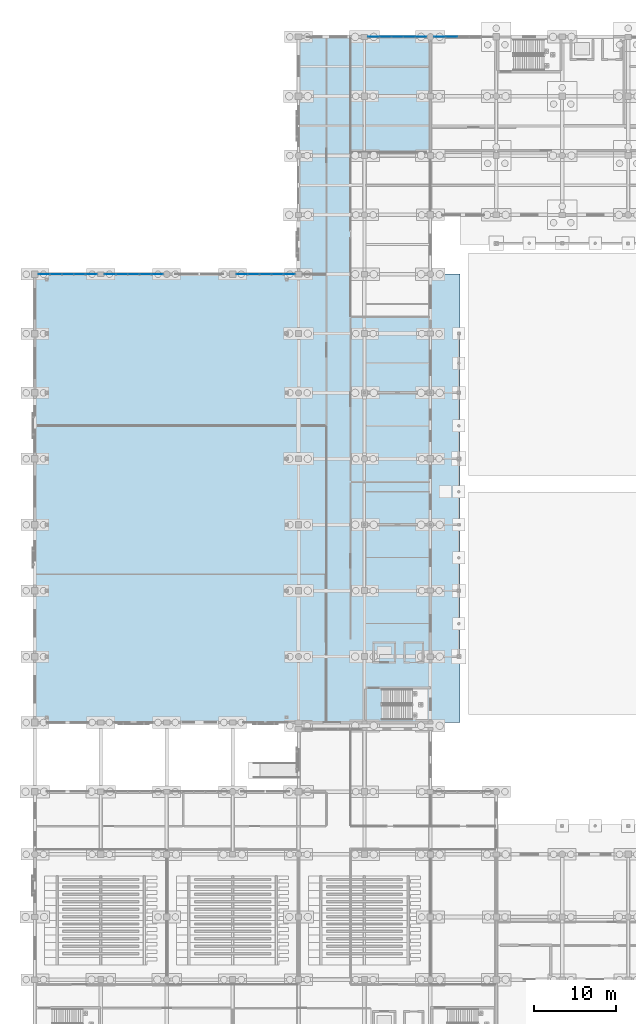
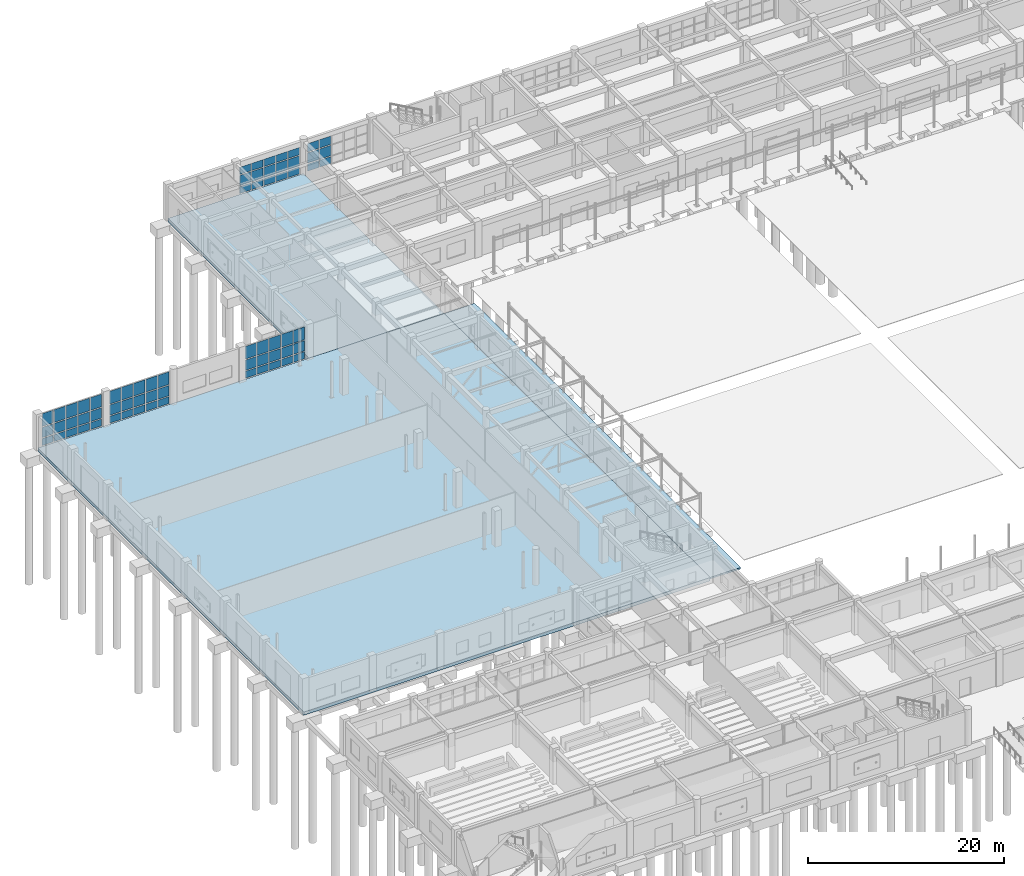
# One storey, part 111 of 166: 66 plates, 3 slabs, 5 elements without a shape of their own.
"""IFC4 building model written with IfcOpenShell, lengths in metres."""

import ifcopenshell
import ifcopenshell.guid

model = None  # the IFC model being written
_history = None  # IfcOwnerHistory: only IFC2X3 demands one
_inside = {}  # id of a spatial element -> (the spatial element, [elements in it])
_under = {}  # id of a project, library or spatial element -> (it, [spatial elements below it])
_declared = {}  # id of a project -> (the project, [libraries it declares])
_typed = {}  # id of a type object -> (the type object, [elements of that type])
_made_of = {}  # id of a material, layer set ... -> (it, [elements and type objects made of it])


def new_model(schema):
    """Start an empty IFC model of exactly this schema.

    Asked for "IFC4X3", IfcOpenShell would pick the latest addendum, in which some entities
    have other attributes; the version numbers below select the first issue.
    IFC2X3 requires an IfcOwnerHistory on every rooted entity: one is made here for all.
    """
    global model, _history
    if schema == "IFC4X3":
        model = ifcopenshell.file(schema_version=(4, 3, 0, 0))
    else:
        model = ifcopenshell.file(schema=schema)
    _inside.clear()
    _under.clear()
    _declared.clear()
    _typed.clear()
    _made_of.clear()
    _history = None
    if model.schema == "IFC2X3":
        org = make("IfcOrganization", Name="unknown")
        user = make(
            "IfcPersonAndOrganization",
            ThePerson=make("IfcPerson", FamilyName="unknown"),
            TheOrganization=org,
        )
        app = make(
            "IfcApplication",
            ApplicationDeveloper=org,
            Version="unknown",
            ApplicationFullName="unknown",
            ApplicationIdentifier="unknown",
        )
        _history = make(
            "IfcOwnerHistory",
            OwningUser=user,
            OwningApplication=app,
            ChangeAction="ADDED",
            CreationDate=0,
        )
    return model


def make(cls, **values):
    """One entity of the class cls with the attributes given. An attribute that is None is left unset."""
    return model.create_entity(
        cls, **{name: value for name, value in values.items() if value is not None}
    )


def rooted(cls, **values):
    """An entity with a GlobalId (a new one), such as an element, a storey or a relation."""
    return make(cls, GlobalId=ifcopenshell.guid.new(), OwnerHistory=_history, **values)


def si_unit(unit_type, name, prefix=None):
    """IfcSIUnit, for example si_unit("LENGTHUNIT", "METRE", prefix="MILLI")."""
    return make("IfcSIUnit", UnitType=unit_type, Prefix=prefix, Name=name)


def assignment(units):
    """IfcUnitAssignment: the units of a project."""
    return None if units is None else make("IfcUnitAssignment", Units=units)


def point(xyz):
    """IfcCartesianPoint."""
    return None if xyz is None else make("IfcCartesianPoint", Coordinates=xyz)


def direction(xyz):
    """IfcDirection."""
    return None if xyz is None else make("IfcDirection", DirectionRatios=xyz)


def frame(location, z_axis=None, x_axis=None):
    """IfcAxis2Placement3D, a coordinate frame: its origin and axes. An axis left out is left unset."""
    return make(
        "IfcAxis2Placement3D",
        Location=point(location),
        Axis=direction(z_axis),
        RefDirection=direction(x_axis),
    )


def frame_2d(location, x_axis=None):
    """IfcAxis2Placement2D, a coordinate frame in the plane: its origin and x axis."""
    return make(
        "IfcAxis2Placement2D", Location=point(location), RefDirection=direction(x_axis)
    )


def origin():
    """The frame at (0, 0, 0) with its axes left unset."""
    return frame((0.0, 0.0, 0.0))


def origin_2d():
    """The frame at (0, 0) in the plane with its x axis left unset."""
    return frame_2d((0.0, 0.0))


def place(relative_to, where):
    """IfcLocalPlacement: puts the frame where relative to a parent placement (None: the world)."""
    return make(
        "IfcLocalPlacement", PlacementRelTo=relative_to, RelativePlacement=where
    )


def context(
    kind, dimensions, precision=None, world=None, true_north=None, identifier=None
):
    """IfcGeometricRepresentationContext, for example the 3D "Model" context."""
    return make(
        "IfcGeometricRepresentationContext",
        ContextIdentifier=identifier,
        ContextType=kind,
        CoordinateSpaceDimension=dimensions,
        Precision=precision,
        WorldCoordinateSystem=world,
        TrueNorth=true_north,
    )


def subcontext(parent, identifier, kind, view, scale=None):
    """IfcGeometricRepresentationSubContext, for example "Body" below "Model"."""
    return make(
        "IfcGeometricRepresentationSubContext",
        ContextIdentifier=identifier,
        ContextType=kind,
        ParentContext=parent,
        TargetScale=scale,
        TargetView=view,
    )


def project(units=None, contexts=None):
    """IfcProject with its units and contexts."""
    return rooted(
        "IfcProject",
        Name="project",
        RepresentationContexts=contexts,
        UnitsInContext=assignment(units),
    )


def spatial(cls, under=None, at=None, **own):
    """A site, building, storey or space (cls), placed at a placement, below another one or the project."""
    s = rooted(cls, ObjectPlacement=at, **own)
    if under is not None:
        _under.setdefault(under.id(), (under, []))[1].append(s)
    return s


def polyline(points):
    """IfcPolyline through the points."""
    return make("IfcPolyline", Points=[point(p) for p in points])


def profile(cls, at=None, kind="AREA", **sizes):
    """A parametric profile (cls). Its sizes go by their IFC names, for example OverallWidth=200.0."""
    return make(cls, ProfileType=kind, Position=at, **sizes)


def rectangle(**sizes):
    """IfcRectangleProfileDef."""
    return profile("IfcRectangleProfileDef", **sizes)


def outline(outer, holes=None, kind="AREA"):
    """IfcArbitraryClosedProfileDef: a profile drawn as a closed curve; with holes, ...WithVoids."""
    if holes is None:
        return make("IfcArbitraryClosedProfileDef", ProfileType=kind, OuterCurve=outer)
    return make(
        "IfcArbitraryProfileDefWithVoids",
        ProfileType=kind,
        OuterCurve=outer,
        InnerCurves=holes,
    )


def extrude(swept, where, along, depth):
    """IfcExtrudedAreaSolid: the profile swept, set in the frame where, extruded along a direction by depth."""
    return make(
        "IfcExtrudedAreaSolid",
        SweptArea=swept,
        Position=where,
        ExtrudedDirection=direction(along),
        Depth=depth,
    )


def shape(context_of_items, identifier, shape_type, items):
    """IfcShapeRepresentation: the items that make up one representation, for example the "Body"."""
    return make(
        "IfcShapeRepresentation",
        ContextOfItems=context_of_items,
        RepresentationIdentifier=identifier,
        RepresentationType=shape_type,
        Items=items,
    )


def material(Name=None, Category=None):
    """IfcMaterial."""
    return make("IfcMaterial", Name=Name, Category=Category)


def layer(
    of_material, thickness, ventilated=None, Name=None, Category=None, Priority=None
):
    """IfcMaterialLayer: one layer of a wall or slab, of a material (None: an air gap)."""
    return make(
        "IfcMaterialLayer",
        Material=of_material,
        LayerThickness=thickness,
        IsVentilated=ventilated,
        Name=Name,
        Category=Category,
        Priority=Priority,
    )


def layer_set(layers, Name=None):
    """IfcMaterialLayerSet."""
    return make("IfcMaterialLayerSet", MaterialLayers=layers, LayerSetName=Name)


def made_of(thing, what):
    """Note that an element or type object is made of a material, layer set ...; save() writes the relation."""
    if what is not None:
        _made_of.setdefault(what.id(), (what, []))[1].append(thing)
    return thing


def type_object(cls, material=None, **own):
    """A type object (cls), such as IfcWallType, which elements share."""
    return made_of(rooted(cls, **own), material)


def element(
    cls,
    number,
    at=None,
    inside=None,
    cuts=None,
    type_object=None,
    material=None,
    context=None,
    identifier="Body",
    shape_type=None,
    held_by="IfcProductDefinitionShape",
    body=None,
    shapes=None,
    **own,
):
    """One element of the class cls, such as IfcWall. Its Tag is "e" and its number.

    at: its placement. inside: the storey or other place that contains it. cuts: it is an
    opening in that element (IfcRelVoidsElement). A single representation is given by context,
    identifier, shape_type and body (its items); several are given by shapes. held_by: the class
    of the entity that holds the representations. save() writes the other relations.
    """
    e = rooted(cls, Tag="e%d" % number, ObjectPlacement=at, **own)
    if body is not None:
        shapes = [shape(context, identifier, shape_type, body)]
    if shapes is not None:
        e.Representation = make(held_by, Representations=shapes)
    if inside is not None:
        _inside.setdefault(inside.id(), (inside, []))[1].append(e)
    if cuts is not None:
        rooted(
            "IfcRelVoidsElement", RelatingBuildingElement=cuts, RelatedOpeningElement=e
        )
    if type_object is not None:
        _typed.setdefault(type_object.id(), (type_object, []))[1].append(e)
    return made_of(e, material)


def aggregate(whole, parts):
    """IfcRelAggregates: a whole, such as a stair, and the parts it consists of."""
    return rooted("IfcRelAggregates", RelatingObject=whole, RelatedObjects=parts)


def save(model, path):
    """Write the relations noted so far, then the file.

    IfcRelAggregates (storeys below a building ...), IfcRelContainedInSpatialStructure (elements
    in a storey), IfcRelDefinesByType, IfcRelAssociatesMaterial and IfcRelDeclares: one each for
    every whole, place, type object, material and project.
    """
    for whole, parts in _under.values():
        aggregate(whole, parts)
    for where, things in _inside.values():
        rooted(
            "IfcRelContainedInSpatialStructure",
            RelatedElements=things,
            RelatingStructure=where,
        )
    for kind, things in _typed.values():
        rooted("IfcRelDefinesByType", RelatedObjects=things, RelatingType=kind)
    for what, things in _made_of.values():
        rooted("IfcRelAssociatesMaterial", RelatedObjects=things, RelatingMaterial=what)
    for by, libraries in _declared.values():
        rooted("IfcRelDeclares", RelatingContext=by, RelatedDefinitions=libraries)
    model.write(path)


model = new_model("IFC4")

# Units and contexts
model_context = context("Model", 3, precision=1e-05, world=origin(), true_north=direction((0.0, 1.0)))
body_context = subcontext(model_context, "Body", "Model", "MODEL_VIEW")
ifc_project = project(units=[si_unit("LENGTHUNIT", "METRE"), si_unit("AREAUNIT", "SQUARE_METRE"), si_unit("VOLUMEUNIT", "CUBIC_METRE"), si_unit("PLANEANGLEUNIT", "RADIAN"), si_unit("MASSUNIT", "GRAM", prefix="KILO")], contexts=[model_context])

# Site, building, storey
site_placement = place(None, origin())
site = spatial("IfcSite", under=ifc_project, at=site_placement, CompositionType="ELEMENT")
building_placement = place(site_placement, origin())
building = spatial("IfcBuilding", under=site, at=building_placement, Name="Kharva Crest Polytechnic", CompositionType="ELEMENT")
storey_placement = place(building_placement, origin())
storey = spatial("IfcBuildingStorey", under=building, at=storey_placement, Name="L00", CompositionType="ELEMENT", Elevation=0.0)

# Curtain wall, plates
ifc_material_1 = material(Name="Tempered insulated glass", Category="glass")
curtain_wall_type = type_object("IfcCurtainWallType", Name="CW-SYS-COURT", PredefinedType="USERDEFINED", material=ifc_material_1)
curtain_wall_1_placement = place(storey_placement, origin())
curtain_wall_1 = element("IfcCurtainWall", 1, at=curtain_wall_1_placement, inside=storey, type_object=curtain_wall_type, Name="L00 Glazed Curtain Wall CW-029", ObjectType="CURTAIN WALL", PredefinedType="USERDEFINED")
ifc_layer_1 = layer(ifc_material_1, 0.02392578125, Name="Tempered insulated glass")
ifc_layer_set_1 = layer_set([ifc_layer_1], Name="Tempered insulated glass")
plate_type = type_object("IfcPlateType", Name="CWP-GLZ-24", PredefinedType="CURTAIN_PANEL", material=ifc_layer_set_1)
plate_1_placement = place(storey_placement, frame((50.56201171875, 122.0, 0.119873046875), z_axis=(0.0, 0.0, 1.0), x_axis=(-1.0, 0.0, 0.0)))
plate_1 = element("IfcPlate", 2, at=plate_1_placement, type_object=plate_type, Name="CW-029 panel 4.1", PredefinedType="CURTAIN_PANEL", context=body_context, shape_type="SweptSolid", body=[
    extrude(rectangle(XDim=1.35791015625, YDim=0.02392578125, at=origin_2d()), origin(), (0.0, 0.0, 1.0), 0.8701171875),
])
plate_2_placement = place(storey_placement, frame((50.56201171875, 122.0, 1.10986328125), z_axis=(0.0, 0.0, 1.0), x_axis=(-1.0, 0.0, 0.0)))
plate_2 = element("IfcPlate", 3, at=plate_2_placement, type_object=plate_type, Name="CW-029 panel 4.2", PredefinedType="CURTAIN_PANEL", context=body_context, shape_type="SweptSolid", body=[
    extrude(rectangle(XDim=1.35791015625, YDim=0.02392578125, at=origin_2d()), origin(), (0.0, 0.0, 1.0), 1.280029296875),
])
plate_3_placement = place(storey_placement, frame((50.56201171875, 122.0, 2.510009765625), z_axis=(0.0, 0.0, 1.0), x_axis=(-1.0, 0.0, 0.0)))
plate_3 = element("IfcPlate", 4, at=plate_3_placement, type_object=plate_type, Name="CW-029 panel 4.3", PredefinedType="CURTAIN_PANEL", context=body_context, shape_type="SweptSolid", body=[
    extrude(rectangle(XDim=1.35791015625, YDim=0.02392578125, at=origin_2d()), origin(), (0.0, 0.0, 1.0), 1.0400390625),
])
plate_4_placement = place(storey_placement, frame((49.14404296875, 122.0, 0.119873046875), z_axis=(0.0, 0.0, 1.0), x_axis=(-1.0, 0.0, 0.0)))
plate_4 = element("IfcPlate", 5, at=plate_4_placement, type_object=plate_type, Name="CW-029 panel 5.1", PredefinedType="CURTAIN_PANEL", context=body_context, shape_type="SweptSolid", body=[
    extrude(rectangle(XDim=1.318115234375, YDim=0.02392578125, at=origin_2d()), origin(), (0.0, 0.0, 1.0), 0.8701171875),
])
plate_5_placement = place(storey_placement, frame((49.14404296875, 122.0, 1.10986328125), z_axis=(0.0, 0.0, 1.0), x_axis=(-1.0, 0.0, 0.0)))
plate_5 = element("IfcPlate", 6, at=plate_5_placement, type_object=plate_type, Name="CW-029 panel 5.2", PredefinedType="CURTAIN_PANEL", context=body_context, shape_type="SweptSolid", body=[
    extrude(rectangle(XDim=1.318115234375, YDim=0.02392578125, at=origin_2d()), origin(), (0.0, 0.0, 1.0), 1.280029296875),
])
plate_6_placement = place(storey_placement, frame((49.14404296875, 122.0, 2.510009765625), z_axis=(0.0, 0.0, 1.0), x_axis=(-1.0, 0.0, 0.0)))
plate_6 = element("IfcPlate", 7, at=plate_6_placement, type_object=plate_type, Name="CW-029 panel 5.3", PredefinedType="CURTAIN_PANEL", context=body_context, shape_type="SweptSolid", body=[
    extrude(rectangle(XDim=1.318115234375, YDim=0.02392578125, at=origin_2d()), origin(), (0.0, 0.0, 1.0), 1.0400390625),
])
aggregate(curtain_wall_1, [plate_1, plate_2, plate_3, plate_4, plate_5, plate_6])

curtain_wall_2_placement = place(storey_placement, origin())
curtain_wall_2 = element("IfcCurtainWall", 8, at=curtain_wall_2_placement, inside=storey, type_object=curtain_wall_type, Name="L00 Glazed Curtain Wall CW-030", ObjectType="CURTAIN WALL", PredefinedType="USERDEFINED")
plate_7_placement = place(storey_placement, frame((46.85498046875, 122.0, 0.119873046875), z_axis=(0.0, 0.0, 1.0), x_axis=(-1.0, 0.0, 0.0)))
plate_7 = element("IfcPlate", 9, at=plate_7_placement, type_object=plate_type, Name="CW-030 panel 1.1", PredefinedType="CURTAIN_PANEL", context=body_context, shape_type="SweptSolid", body=[
    extrude(rectangle(XDim=1.320068359375, YDim=0.02392578125, at=origin_2d()), origin(), (0.0, 0.0, 1.0), 0.8701171875),
])
plate_8_placement = place(storey_placement, frame((46.85498046875, 122.0, 1.10986328125), z_axis=(0.0, 0.0, 1.0), x_axis=(-1.0, 0.0, 0.0)))
plate_8 = element("IfcPlate", 10, at=plate_8_placement, type_object=plate_type, Name="CW-030 panel 1.2", PredefinedType="CURTAIN_PANEL", context=body_context, shape_type="SweptSolid", body=[
    extrude(rectangle(XDim=1.320068359375, YDim=0.02392578125, at=origin_2d()), origin(), (0.0, 0.0, 1.0), 1.280029296875),
])
plate_9_placement = place(storey_placement, frame((46.85498046875, 122.0, 2.51025390625), z_axis=(0.0, 0.0, 1.0), x_axis=(-1.0, 0.0, 0.0)))
plate_9 = element("IfcPlate", 11, at=plate_9_placement, type_object=plate_type, Name="CW-030 panel 1.3", PredefinedType="CURTAIN_PANEL", context=body_context, shape_type="SweptSolid", body=[
    extrude(rectangle(XDim=1.320068359375, YDim=0.02392578125, at=origin_2d()), origin(), (0.0, 0.0, 1.0), 0.909912109375),
])
plate_10_placement = place(storey_placement, frame((45.43505859375, 122.0, 0.119873046875), z_axis=(0.0, 0.0, 1.0), x_axis=(-1.0, 0.0, 0.0)))
plate_10 = element("IfcPlate", 12, at=plate_10_placement, type_object=plate_type, Name="CW-030 panel 2.1", PredefinedType="CURTAIN_PANEL", context=body_context, shape_type="SweptSolid", body=[
    extrude(rectangle(XDim=1.360107421875, YDim=0.02392578125, at=origin_2d()), origin(), (0.0, 0.0, 1.0), 0.8701171875),
])
plate_11_placement = place(storey_placement, frame((45.43505859375, 122.0, 1.10986328125), z_axis=(0.0, 0.0, 1.0), x_axis=(-1.0, 0.0, 0.0)))
plate_11 = element("IfcPlate", 13, at=plate_11_placement, type_object=plate_type, Name="CW-030 panel 2.2", PredefinedType="CURTAIN_PANEL", context=body_context, shape_type="SweptSolid", body=[
    extrude(rectangle(XDim=1.360107421875, YDim=0.02392578125, at=origin_2d()), origin(), (0.0, 0.0, 1.0), 1.280029296875),
])
plate_12_placement = place(storey_placement, frame((45.43505859375, 122.0, 2.51025390625), z_axis=(0.0, 0.0, 1.0), x_axis=(-1.0, 0.0, 0.0)))
plate_12 = element("IfcPlate", 14, at=plate_12_placement, type_object=plate_type, Name="CW-030 panel 2.3", PredefinedType="CURTAIN_PANEL", context=body_context, shape_type="SweptSolid", body=[
    extrude(rectangle(XDim=1.360107421875, YDim=0.02392578125, at=origin_2d()), origin(), (0.0, 0.0, 1.0), 0.909912109375),
])
plate_13_placement = place(storey_placement, frame((43.9951171875, 122.0, 0.119873046875), z_axis=(0.0, 0.0, 1.0), x_axis=(-1.0, 0.0, 0.0)))
plate_13 = element("IfcPlate", 15, at=plate_13_placement, type_object=plate_type, Name="CW-030 panel 3.1", PredefinedType="CURTAIN_PANEL", context=body_context, shape_type="SweptSolid", body=[
    extrude(rectangle(XDim=1.360107421875, YDim=0.02392578125, at=origin_2d()), origin(), (0.0, 0.0, 1.0), 0.8701171875),
])
plate_14_placement = place(storey_placement, frame((43.9951171875, 122.0, 1.10986328125), z_axis=(0.0, 0.0, 1.0), x_axis=(-1.0, 0.0, 0.0)))
plate_14 = element("IfcPlate", 16, at=plate_14_placement, type_object=plate_type, Name="CW-030 panel 3.2", PredefinedType="CURTAIN_PANEL", context=body_context, shape_type="SweptSolid", body=[
    extrude(rectangle(XDim=1.360107421875, YDim=0.02392578125, at=origin_2d()), origin(), (0.0, 0.0, 1.0), 1.280029296875),
])
plate_15_placement = place(storey_placement, frame((43.9951171875, 122.0, 2.51025390625), z_axis=(0.0, 0.0, 1.0), x_axis=(-1.0, 0.0, 0.0)))
plate_15 = element("IfcPlate", 17, at=plate_15_placement, type_object=plate_type, Name="CW-030 panel 3.3", PredefinedType="CURTAIN_PANEL", context=body_context, shape_type="SweptSolid", body=[
    extrude(rectangle(XDim=1.360107421875, YDim=0.02392578125, at=origin_2d()), origin(), (0.0, 0.0, 1.0), 0.909912109375),
])
plate_16_placement = place(storey_placement, frame((42.554931640625, 122.0, 0.119873046875), z_axis=(0.0, 0.0, 1.0), x_axis=(-1.0, 0.0, 0.0)))
plate_16 = element("IfcPlate", 18, at=plate_16_placement, type_object=plate_type, Name="CW-030 panel 4.1", PredefinedType="CURTAIN_PANEL", context=body_context, shape_type="SweptSolid", body=[
    extrude(rectangle(XDim=1.360107421875, YDim=0.02392578125, at=origin_2d()), origin(), (0.0, 0.0, 1.0), 0.8701171875),
])
plate_17_placement = place(storey_placement, frame((42.554931640625, 122.0, 1.10986328125), z_axis=(0.0, 0.0, 1.0), x_axis=(-1.0, 0.0, 0.0)))
plate_17 = element("IfcPlate", 19, at=plate_17_placement, type_object=plate_type, Name="CW-030 panel 4.2", PredefinedType="CURTAIN_PANEL", context=body_context, shape_type="SweptSolid", body=[
    extrude(rectangle(XDim=1.360107421875, YDim=0.02392578125, at=origin_2d()), origin(), (0.0, 0.0, 1.0), 1.280029296875),
])
plate_18_placement = place(storey_placement, frame((42.554931640625, 122.0, 2.51025390625), z_axis=(0.0, 0.0, 1.0), x_axis=(-1.0, 0.0, 0.0)))
plate_18 = element("IfcPlate", 20, at=plate_18_placement, type_object=plate_type, Name="CW-030 panel 4.3", PredefinedType="CURTAIN_PANEL", context=body_context, shape_type="SweptSolid", body=[
    extrude(rectangle(XDim=1.360107421875, YDim=0.02392578125, at=origin_2d()), origin(), (0.0, 0.0, 1.0), 0.909912109375),
])
plate_19_placement = place(storey_placement, frame((41.135009765625, 122.0, 0.119873046875), z_axis=(0.0, 0.0, 1.0), x_axis=(-1.0, 0.0, 0.0)))
plate_19 = element("IfcPlate", 21, at=plate_19_placement, type_object=plate_type, Name="CW-030 panel 5.1", PredefinedType="CURTAIN_PANEL", context=body_context, shape_type="SweptSolid", body=[
    extrude(rectangle(XDim=1.320068359375, YDim=0.02392578125, at=origin_2d()), origin(), (0.0, 0.0, 1.0), 0.8701171875),
])
plate_20_placement = place(storey_placement, frame((41.135009765625, 122.0, 1.10986328125), z_axis=(0.0, 0.0, 1.0), x_axis=(-1.0, 0.0, 0.0)))
plate_20 = element("IfcPlate", 22, at=plate_20_placement, type_object=plate_type, Name="CW-030 panel 5.2", PredefinedType="CURTAIN_PANEL", context=body_context, shape_type="SweptSolid", body=[
    extrude(rectangle(XDim=1.320068359375, YDim=0.02392578125, at=origin_2d()), origin(), (0.0, 0.0, 1.0), 1.280029296875),
])
plate_21_placement = place(storey_placement, frame((41.135009765625, 122.0, 2.51025390625), z_axis=(0.0, 0.0, 1.0), x_axis=(-1.0, 0.0, 0.0)))
plate_21 = element("IfcPlate", 23, at=plate_21_placement, type_object=plate_type, Name="CW-030 panel 5.3", PredefinedType="CURTAIN_PANEL", context=body_context, shape_type="SweptSolid", body=[
    extrude(rectangle(XDim=1.320068359375, YDim=0.02392578125, at=origin_2d()), origin(), (0.0, 0.0, 1.0), 0.909912109375),
])
aggregate(curtain_wall_2, [plate_7, plate_8, plate_9, plate_10, plate_11, plate_12, plate_13, plate_14, plate_15, plate_16, plate_17, plate_18, plate_19, plate_20, plate_21])

curtain_wall_3_placement = place(storey_placement, origin())
curtain_wall_3 = element("IfcCurtainWall", 24, at=curtain_wall_3_placement, inside=storey, type_object=curtain_wall_type, Name="L00 Glazed Curtain Wall CW-031", ObjectType="CURTAIN WALL", PredefinedType="USERDEFINED")
plate_22_placement = place(storey_placement, frame((30.85595703125, 93.199951171875, 0.119873046875), z_axis=(0.0, 0.0, 1.0), x_axis=(-1.0, 0.0, 0.0)))
plate_22 = element("IfcPlate", 25, at=plate_22_placement, type_object=plate_type, Name="CW-031 panel 1.1", PredefinedType="CURTAIN_PANEL", context=body_context, shape_type="SweptSolid", body=[
    extrude(rectangle(XDim=1.318115234375, YDim=0.02392578125, at=origin_2d()), origin(), (0.0, 0.0, 1.0), 0.8701171875),
])
plate_23_placement = place(storey_placement, frame((30.85595703125, 93.199951171875, 1.10986328125), z_axis=(0.0, 0.0, 1.0), x_axis=(-1.0, 0.0, 0.0)))
plate_23 = element("IfcPlate", 26, at=plate_23_placement, type_object=plate_type, Name="CW-031 panel 1.2", PredefinedType="CURTAIN_PANEL", context=body_context, shape_type="SweptSolid", body=[
    extrude(rectangle(XDim=1.318115234375, YDim=0.02392578125, at=origin_2d()), origin(), (0.0, 0.0, 1.0), 1.280029296875),
])
plate_24_placement = place(storey_placement, frame((30.85595703125, 93.199951171875, 2.509765625), z_axis=(0.0, 0.0, 1.0), x_axis=(-1.0, 0.0, 0.0)))
plate_24 = element("IfcPlate", 27, at=plate_24_placement, type_object=plate_type, Name="CW-031 panel 1.3", PredefinedType="CURTAIN_PANEL", context=body_context, shape_type="SweptSolid", body=[
    extrude(rectangle(XDim=1.318115234375, YDim=0.02392578125, at=origin_2d()), origin(), (0.0, 0.0, 1.0), 1.590087890625),
])
plate_25_placement = place(storey_placement, frame((29.43798828125, 93.199951171875, 0.119873046875), z_axis=(0.0, 0.0, 1.0), x_axis=(-1.0, 0.0, 0.0)))
plate_25 = element("IfcPlate", 28, at=plate_25_placement, type_object=plate_type, Name="CW-031 panel 2.1", PredefinedType="CURTAIN_PANEL", context=body_context, shape_type="SweptSolid", body=[
    extrude(rectangle(XDim=1.35791015625, YDim=0.02392578125, at=origin_2d()), origin(), (0.0, 0.0, 1.0), 0.8701171875),
])
plate_26_placement = place(storey_placement, frame((29.43798828125, 93.199951171875, 1.10986328125), z_axis=(0.0, 0.0, 1.0), x_axis=(-1.0, 0.0, 0.0)))
plate_26 = element("IfcPlate", 29, at=plate_26_placement, type_object=plate_type, Name="CW-031 panel 2.2", PredefinedType="CURTAIN_PANEL", context=body_context, shape_type="SweptSolid", body=[
    extrude(rectangle(XDim=1.35791015625, YDim=0.02392578125, at=origin_2d()), origin(), (0.0, 0.0, 1.0), 1.280029296875),
])
plate_27_placement = place(storey_placement, frame((29.43798828125, 93.199951171875, 2.509765625), z_axis=(0.0, 0.0, 1.0), x_axis=(-1.0, 0.0, 0.0)))
plate_27 = element("IfcPlate", 30, at=plate_27_placement, type_object=plate_type, Name="CW-031 panel 2.3", PredefinedType="CURTAIN_PANEL", context=body_context, shape_type="SweptSolid", body=[
    extrude(rectangle(XDim=1.35791015625, YDim=0.02392578125, at=origin_2d()), origin(), (0.0, 0.0, 1.0), 1.590087890625),
])
plate_28_placement = place(storey_placement, frame((28.0, 93.199951171875, 0.119873046875), z_axis=(0.0, 0.0, 1.0), x_axis=(-1.0, 0.0, 0.0)))
plate_28 = element("IfcPlate", 31, at=plate_28_placement, type_object=plate_type, Name="CW-031 panel 3.1", PredefinedType="CURTAIN_PANEL", context=body_context, shape_type="SweptSolid", body=[
    extrude(rectangle(XDim=1.35791015625, YDim=0.02392578125, at=origin_2d()), origin(), (0.0, 0.0, 1.0), 0.8701171875),
])
plate_29_placement = place(storey_placement, frame((28.0, 93.199951171875, 1.10986328125), z_axis=(0.0, 0.0, 1.0), x_axis=(-1.0, 0.0, 0.0)))
plate_29 = element("IfcPlate", 32, at=plate_29_placement, type_object=plate_type, Name="CW-031 panel 3.2", PredefinedType="CURTAIN_PANEL", context=body_context, shape_type="SweptSolid", body=[
    extrude(rectangle(XDim=1.35791015625, YDim=0.02392578125, at=origin_2d()), origin(), (0.0, 0.0, 1.0), 1.280029296875),
])
plate_30_placement = place(storey_placement, frame((28.0, 93.199951171875, 2.509765625), z_axis=(0.0, 0.0, 1.0), x_axis=(-1.0, 0.0, 0.0)))
plate_30 = element("IfcPlate", 33, at=plate_30_placement, type_object=plate_type, Name="CW-031 panel 3.3", PredefinedType="CURTAIN_PANEL", context=body_context, shape_type="SweptSolid", body=[
    extrude(rectangle(XDim=1.35791015625, YDim=0.02392578125, at=origin_2d()), origin(), (0.0, 0.0, 1.0), 1.590087890625),
])
plate_31_placement = place(storey_placement, frame((26.56201171875, 93.199951171875, 0.119873046875), z_axis=(0.0, 0.0, 1.0), x_axis=(-1.0, 0.0, 0.0)))
plate_31 = element("IfcPlate", 34, at=plate_31_placement, type_object=plate_type, Name="CW-031 panel 4.1", PredefinedType="CURTAIN_PANEL", context=body_context, shape_type="SweptSolid", body=[
    extrude(rectangle(XDim=1.35791015625, YDim=0.02392578125, at=origin_2d()), origin(), (0.0, 0.0, 1.0), 0.8701171875),
])
plate_32_placement = place(storey_placement, frame((26.56201171875, 93.199951171875, 1.10986328125), z_axis=(0.0, 0.0, 1.0), x_axis=(-1.0, 0.0, 0.0)))
plate_32 = element("IfcPlate", 35, at=plate_32_placement, type_object=plate_type, Name="CW-031 panel 4.2", PredefinedType="CURTAIN_PANEL", context=body_context, shape_type="SweptSolid", body=[
    extrude(rectangle(XDim=1.35791015625, YDim=0.02392578125, at=origin_2d()), origin(), (0.0, 0.0, 1.0), 1.280029296875),
])
plate_33_placement = place(storey_placement, frame((26.56201171875, 93.199951171875, 2.509765625), z_axis=(0.0, 0.0, 1.0), x_axis=(-1.0, 0.0, 0.0)))
plate_33 = element("IfcPlate", 36, at=plate_33_placement, type_object=plate_type, Name="CW-031 panel 4.3", PredefinedType="CURTAIN_PANEL", context=body_context, shape_type="SweptSolid", body=[
    extrude(rectangle(XDim=1.35791015625, YDim=0.02392578125, at=origin_2d()), origin(), (0.0, 0.0, 1.0), 1.590087890625),
])
plate_34_placement = place(storey_placement, frame((25.14404296875, 93.199951171875, 0.119873046875), z_axis=(0.0, 0.0, 1.0), x_axis=(-1.0, 0.0, 0.0)))
plate_34 = element("IfcPlate", 37, at=plate_34_placement, type_object=plate_type, Name="CW-031 panel 5.1", PredefinedType="CURTAIN_PANEL", context=body_context, shape_type="SweptSolid", body=[
    extrude(rectangle(XDim=1.318115234375, YDim=0.02392578125, at=origin_2d()), origin(), (0.0, 0.0, 1.0), 0.8701171875),
])
plate_35_placement = place(storey_placement, frame((25.14404296875, 93.199951171875, 1.10986328125), z_axis=(0.0, 0.0, 1.0), x_axis=(-1.0, 0.0, 0.0)))
plate_35 = element("IfcPlate", 38, at=plate_35_placement, type_object=plate_type, Name="CW-031 panel 5.2", PredefinedType="CURTAIN_PANEL", context=body_context, shape_type="SweptSolid", body=[
    extrude(rectangle(XDim=1.318115234375, YDim=0.02392578125, at=origin_2d()), origin(), (0.0, 0.0, 1.0), 1.280029296875),
])
plate_36_placement = place(storey_placement, frame((25.14404296875, 93.199951171875, 2.509765625), z_axis=(0.0, 0.0, 1.0), x_axis=(-1.0, 0.0, 0.0)))
plate_36 = element("IfcPlate", 39, at=plate_36_placement, type_object=plate_type, Name="CW-031 panel 5.3", PredefinedType="CURTAIN_PANEL", context=body_context, shape_type="SweptSolid", body=[
    extrude(rectangle(XDim=1.318115234375, YDim=0.02392578125, at=origin_2d()), origin(), (0.0, 0.0, 1.0), 1.590087890625),
])
aggregate(curtain_wall_3, [plate_22, plate_23, plate_24, plate_25, plate_26, plate_27, plate_28, plate_29, plate_30, plate_31, plate_32, plate_33, plate_34, plate_35, plate_36])

curtain_wall_4_placement = place(storey_placement, origin())
curtain_wall_4 = element("IfcCurtainWall", 40, at=curtain_wall_4_placement, inside=storey, type_object=curtain_wall_type, Name="L00 Glazed Curtain Wall CW-032", ObjectType="CURTAIN WALL", PredefinedType="USERDEFINED")
plate_37_placement = place(storey_placement, frame((14.85498046875, 93.199951171875, 0.119873046875), z_axis=(0.0, 0.0, 1.0), x_axis=(-1.0, 0.0, 0.0)))
plate_37 = element("IfcPlate", 41, at=plate_37_placement, type_object=plate_type, Name="CW-032 panel 1.1", PredefinedType="CURTAIN_PANEL", context=body_context, shape_type="SweptSolid", body=[
    extrude(rectangle(XDim=1.320068359375, YDim=0.02392578125, at=origin_2d()), origin(), (0.0, 0.0, 1.0), 0.8701171875),
])
plate_38_placement = place(storey_placement, frame((14.85498046875, 93.199951171875, 1.10986328125), z_axis=(0.0, 0.0, 1.0), x_axis=(-1.0, 0.0, 0.0)))
plate_38 = element("IfcPlate", 42, at=plate_38_placement, type_object=plate_type, Name="CW-032 panel 1.2", PredefinedType="CURTAIN_PANEL", context=body_context, shape_type="SweptSolid", body=[
    extrude(rectangle(XDim=1.320068359375, YDim=0.02392578125, at=origin_2d()), origin(), (0.0, 0.0, 1.0), 1.280029296875),
])
plate_39_placement = place(storey_placement, frame((14.85498046875, 93.199951171875, 2.509765625), z_axis=(0.0, 0.0, 1.0), x_axis=(-1.0, 0.0, 0.0)))
plate_39 = element("IfcPlate", 43, at=plate_39_placement, type_object=plate_type, Name="CW-032 panel 1.3", PredefinedType="CURTAIN_PANEL", context=body_context, shape_type="SweptSolid", body=[
    extrude(rectangle(XDim=1.320068359375, YDim=0.02392578125, at=origin_2d()), origin(), (0.0, 0.0, 1.0), 1.590087890625),
])
plate_40_placement = place(storey_placement, frame((13.43505859375, 93.199951171875, 0.119873046875), z_axis=(0.0, 0.0, 1.0), x_axis=(-1.0, 0.0, 0.0)))
plate_40 = element("IfcPlate", 44, at=plate_40_placement, type_object=plate_type, Name="CW-032 panel 2.1", PredefinedType="CURTAIN_PANEL", context=body_context, shape_type="SweptSolid", body=[
    extrude(rectangle(XDim=1.360107421875, YDim=0.02392578125, at=origin_2d()), origin(), (0.0, 0.0, 1.0), 0.8701171875),
])
plate_41_placement = place(storey_placement, frame((13.43505859375, 93.199951171875, 1.10986328125), z_axis=(0.0, 0.0, 1.0), x_axis=(-1.0, 0.0, 0.0)))
plate_41 = element("IfcPlate", 45, at=plate_41_placement, type_object=plate_type, Name="CW-032 panel 2.2", PredefinedType="CURTAIN_PANEL", context=body_context, shape_type="SweptSolid", body=[
    extrude(rectangle(XDim=1.360107421875, YDim=0.02392578125, at=origin_2d()), origin(), (0.0, 0.0, 1.0), 1.280029296875),
])
plate_42_placement = place(storey_placement, frame((13.43505859375, 93.199951171875, 2.509765625), z_axis=(0.0, 0.0, 1.0), x_axis=(-1.0, 0.0, 0.0)))
plate_42 = element("IfcPlate", 46, at=plate_42_placement, type_object=plate_type, Name="CW-032 panel 2.3", PredefinedType="CURTAIN_PANEL", context=body_context, shape_type="SweptSolid", body=[
    extrude(rectangle(XDim=1.360107421875, YDim=0.02392578125, at=origin_2d()), origin(), (0.0, 0.0, 1.0), 1.590087890625),
])
plate_43_placement = place(storey_placement, frame((11.9951171875, 93.199951171875, 0.119873046875), z_axis=(0.0, 0.0, 1.0), x_axis=(-1.0, 0.0, 0.0)))
plate_43 = element("IfcPlate", 47, at=plate_43_placement, type_object=plate_type, Name="CW-032 panel 3.1", PredefinedType="CURTAIN_PANEL", context=body_context, shape_type="SweptSolid", body=[
    extrude(rectangle(XDim=1.360107421875, YDim=0.02392578125, at=origin_2d()), origin(), (0.0, 0.0, 1.0), 0.8701171875),
])
plate_44_placement = place(storey_placement, frame((11.9951171875, 93.199951171875, 1.10986328125), z_axis=(0.0, 0.0, 1.0), x_axis=(-1.0, 0.0, 0.0)))
plate_44 = element("IfcPlate", 48, at=plate_44_placement, type_object=plate_type, Name="CW-032 panel 3.2", PredefinedType="CURTAIN_PANEL", context=body_context, shape_type="SweptSolid", body=[
    extrude(rectangle(XDim=1.360107421875, YDim=0.02392578125, at=origin_2d()), origin(), (0.0, 0.0, 1.0), 1.280029296875),
])
plate_45_placement = place(storey_placement, frame((11.9951171875, 93.199951171875, 2.509765625), z_axis=(0.0, 0.0, 1.0), x_axis=(-1.0, 0.0, 0.0)))
plate_45 = element("IfcPlate", 49, at=plate_45_placement, type_object=plate_type, Name="CW-032 panel 3.3", PredefinedType="CURTAIN_PANEL", context=body_context, shape_type="SweptSolid", body=[
    extrude(rectangle(XDim=1.360107421875, YDim=0.02392578125, at=origin_2d()), origin(), (0.0, 0.0, 1.0), 1.590087890625),
])
plate_46_placement = place(storey_placement, frame((10.554931640625, 93.199951171875, 0.119873046875), z_axis=(0.0, 0.0, 1.0), x_axis=(-1.0, 0.0, 0.0)))
plate_46 = element("IfcPlate", 50, at=plate_46_placement, type_object=plate_type, Name="CW-032 panel 4.1", PredefinedType="CURTAIN_PANEL", context=body_context, shape_type="SweptSolid", body=[
    extrude(rectangle(XDim=1.360107421875, YDim=0.02392578125, at=origin_2d()), origin(), (0.0, 0.0, 1.0), 0.8701171875),
])
plate_47_placement = place(storey_placement, frame((10.554931640625, 93.199951171875, 1.10986328125), z_axis=(0.0, 0.0, 1.0), x_axis=(-1.0, 0.0, 0.0)))
plate_47 = element("IfcPlate", 51, at=plate_47_placement, type_object=plate_type, Name="CW-032 panel 4.2", PredefinedType="CURTAIN_PANEL", context=body_context, shape_type="SweptSolid", body=[
    extrude(rectangle(XDim=1.360107421875, YDim=0.02392578125, at=origin_2d()), origin(), (0.0, 0.0, 1.0), 1.280029296875),
])
plate_48_placement = place(storey_placement, frame((10.554931640625, 93.199951171875, 2.509765625), z_axis=(0.0, 0.0, 1.0), x_axis=(-1.0, 0.0, 0.0)))
plate_48 = element("IfcPlate", 52, at=plate_48_placement, type_object=plate_type, Name="CW-032 panel 4.3", PredefinedType="CURTAIN_PANEL", context=body_context, shape_type="SweptSolid", body=[
    extrude(rectangle(XDim=1.360107421875, YDim=0.02392578125, at=origin_2d()), origin(), (0.0, 0.0, 1.0), 1.590087890625),
])
plate_49_placement = place(storey_placement, frame((9.135009765625, 93.199951171875, 0.119873046875), z_axis=(0.0, 0.0, 1.0), x_axis=(-1.0, 0.0, 0.0)))
plate_49 = element("IfcPlate", 53, at=plate_49_placement, type_object=plate_type, Name="CW-032 panel 5.1", PredefinedType="CURTAIN_PANEL", context=body_context, shape_type="SweptSolid", body=[
    extrude(rectangle(XDim=1.320068359375, YDim=0.02392578125, at=origin_2d()), origin(), (0.0, 0.0, 1.0), 0.8701171875),
])
plate_50_placement = place(storey_placement, frame((9.135009765625, 93.199951171875, 1.10986328125), z_axis=(0.0, 0.0, 1.0), x_axis=(-1.0, 0.0, 0.0)))
plate_50 = element("IfcPlate", 54, at=plate_50_placement, type_object=plate_type, Name="CW-032 panel 5.2", PredefinedType="CURTAIN_PANEL", context=body_context, shape_type="SweptSolid", body=[
    extrude(rectangle(XDim=1.320068359375, YDim=0.02392578125, at=origin_2d()), origin(), (0.0, 0.0, 1.0), 1.280029296875),
])
plate_51_placement = place(storey_placement, frame((9.135009765625, 93.199951171875, 2.509765625), z_axis=(0.0, 0.0, 1.0), x_axis=(-1.0, 0.0, 0.0)))
plate_51 = element("IfcPlate", 55, at=plate_51_placement, type_object=plate_type, Name="CW-032 panel 5.3", PredefinedType="CURTAIN_PANEL", context=body_context, shape_type="SweptSolid", body=[
    extrude(rectangle(XDim=1.320068359375, YDim=0.02392578125, at=origin_2d()), origin(), (0.0, 0.0, 1.0), 1.590087890625),
])
aggregate(curtain_wall_4, [plate_37, plate_38, plate_39, plate_40, plate_41, plate_42, plate_43, plate_44, plate_45, plate_46, plate_47, plate_48, plate_49, plate_50, plate_51])

curtain_wall_5_placement = place(storey_placement, origin())
curtain_wall_5 = element("IfcCurtainWall", 56, at=curtain_wall_5_placement, inside=storey, type_object=curtain_wall_type, Name="L00 Glazed Curtain Wall CW-033", ObjectType="CURTAIN WALL", PredefinedType="USERDEFINED")
plate_52_placement = place(storey_placement, frame((6.864990234375, 93.199951171875, 0.119873046875), z_axis=(0.0, 0.0, 1.0), x_axis=(-1.0, 0.0, 0.0)))
plate_52 = element("IfcPlate", 57, at=plate_52_placement, type_object=plate_type, Name="CW-033 panel 1.1", PredefinedType="CURTAIN_PANEL", context=body_context, shape_type="SweptSolid", body=[
    extrude(rectangle(XDim=1.320068359375, YDim=0.02392578125, at=origin_2d()), origin(), (0.0, 0.0, 1.0), 0.8701171875),
])
plate_53_placement = place(storey_placement, frame((6.864990234375, 93.199951171875, 1.10986328125), z_axis=(0.0, 0.0, 1.0), x_axis=(-1.0, 0.0, 0.0)))
plate_53 = element("IfcPlate", 58, at=plate_53_placement, type_object=plate_type, Name="CW-033 panel 1.2", PredefinedType="CURTAIN_PANEL", context=body_context, shape_type="SweptSolid", body=[
    extrude(rectangle(XDim=1.320068359375, YDim=0.02392578125, at=origin_2d()), origin(), (0.0, 0.0, 1.0), 1.280029296875),
])
plate_54_placement = place(storey_placement, frame((6.864990234375, 93.199951171875, 2.509765625), z_axis=(0.0, 0.0, 1.0), x_axis=(-1.0, 0.0, 0.0)))
plate_54 = element("IfcPlate", 59, at=plate_54_placement, type_object=plate_type, Name="CW-033 panel 1.3", PredefinedType="CURTAIN_PANEL", context=body_context, shape_type="SweptSolid", body=[
    extrude(rectangle(XDim=1.320068359375, YDim=0.02392578125, at=origin_2d()), origin(), (0.0, 0.0, 1.0), 1.590087890625),
])
plate_55_placement = place(storey_placement, frame((5.445068359375, 93.199951171875, 0.119873046875), z_axis=(0.0, 0.0, 1.0), x_axis=(-1.0, 0.0, 0.0)))
plate_55 = element("IfcPlate", 60, at=plate_55_placement, type_object=plate_type, Name="CW-033 panel 2.1", PredefinedType="CURTAIN_PANEL", context=body_context, shape_type="SweptSolid", body=[
    extrude(rectangle(XDim=1.360107421875, YDim=0.02392578125, at=origin_2d()), origin(), (0.0, 0.0, 1.0), 0.8701171875),
])
plate_56_placement = place(storey_placement, frame((5.445068359375, 93.199951171875, 1.10986328125), z_axis=(0.0, 0.0, 1.0), x_axis=(-1.0, 0.0, 0.0)))
plate_56 = element("IfcPlate", 61, at=plate_56_placement, type_object=plate_type, Name="CW-033 panel 2.2", PredefinedType="CURTAIN_PANEL", context=body_context, shape_type="SweptSolid", body=[
    extrude(rectangle(XDim=1.360107421875, YDim=0.02392578125, at=origin_2d()), origin(), (0.0, 0.0, 1.0), 1.280029296875),
])
plate_57_placement = place(storey_placement, frame((5.445068359375, 93.199951171875, 2.509765625), z_axis=(0.0, 0.0, 1.0), x_axis=(-1.0, 0.0, 0.0)))
plate_57 = element("IfcPlate", 62, at=plate_57_placement, type_object=plate_type, Name="CW-033 panel 2.3", PredefinedType="CURTAIN_PANEL", context=body_context, shape_type="SweptSolid", body=[
    extrude(rectangle(XDim=1.360107421875, YDim=0.02392578125, at=origin_2d()), origin(), (0.0, 0.0, 1.0), 1.590087890625),
])
plate_58_placement = place(storey_placement, frame((4.0048828125, 93.199951171875, 0.119873046875), z_axis=(0.0, 0.0, 1.0), x_axis=(-1.0, 0.0, 0.0)))
plate_58 = element("IfcPlate", 63, at=plate_58_placement, type_object=plate_type, Name="CW-033 panel 3.1", PredefinedType="CURTAIN_PANEL", context=body_context, shape_type="SweptSolid", body=[
    extrude(rectangle(XDim=1.360107421875, YDim=0.02392578125, at=origin_2d()), origin(), (0.0, 0.0, 1.0), 0.8701171875),
])
plate_59_placement = place(storey_placement, frame((4.0048828125, 93.199951171875, 1.10986328125), z_axis=(0.0, 0.0, 1.0), x_axis=(-1.0, 0.0, 0.0)))
plate_59 = element("IfcPlate", 64, at=plate_59_placement, type_object=plate_type, Name="CW-033 panel 3.2", PredefinedType="CURTAIN_PANEL", context=body_context, shape_type="SweptSolid", body=[
    extrude(rectangle(XDim=1.360107421875, YDim=0.02392578125, at=origin_2d()), origin(), (0.0, 0.0, 1.0), 1.280029296875),
])
plate_60_placement = place(storey_placement, frame((4.0048828125, 93.199951171875, 2.509765625), z_axis=(0.0, 0.0, 1.0), x_axis=(-1.0, 0.0, 0.0)))
plate_60 = element("IfcPlate", 65, at=plate_60_placement, type_object=plate_type, Name="CW-033 panel 3.3", PredefinedType="CURTAIN_PANEL", context=body_context, shape_type="SweptSolid", body=[
    extrude(rectangle(XDim=1.360107421875, YDim=0.02392578125, at=origin_2d()), origin(), (0.0, 0.0, 1.0), 1.590087890625),
])
plate_61_placement = place(storey_placement, frame((2.56494140625, 93.199951171875, 0.119873046875), z_axis=(0.0, 0.0, 1.0), x_axis=(-1.0, 0.0, 0.0)))
plate_61 = element("IfcPlate", 66, at=plate_61_placement, type_object=plate_type, Name="CW-033 panel 4.1", PredefinedType="CURTAIN_PANEL", context=body_context, shape_type="SweptSolid", body=[
    extrude(rectangle(XDim=1.360107421875, YDim=0.02392578125, at=origin_2d()), origin(), (0.0, 0.0, 1.0), 0.8701171875),
])
plate_62_placement = place(storey_placement, frame((2.56494140625, 93.199951171875, 1.10986328125), z_axis=(0.0, 0.0, 1.0), x_axis=(-1.0, 0.0, 0.0)))
plate_62 = element("IfcPlate", 67, at=plate_62_placement, type_object=plate_type, Name="CW-033 panel 4.2", PredefinedType="CURTAIN_PANEL", context=body_context, shape_type="SweptSolid", body=[
    extrude(rectangle(XDim=1.360107421875, YDim=0.02392578125, at=origin_2d()), origin(), (0.0, 0.0, 1.0), 1.280029296875),
])
plate_63_placement = place(storey_placement, frame((2.56494140625, 93.199951171875, 2.509765625), z_axis=(0.0, 0.0, 1.0), x_axis=(-1.0, 0.0, 0.0)))
plate_63 = element("IfcPlate", 68, at=plate_63_placement, type_object=plate_type, Name="CW-033 panel 4.3", PredefinedType="CURTAIN_PANEL", context=body_context, shape_type="SweptSolid", body=[
    extrude(rectangle(XDim=1.360107421875, YDim=0.02392578125, at=origin_2d()), origin(), (0.0, 0.0, 1.0), 1.590087890625),
])
plate_64_placement = place(storey_placement, frame((1.14501953125, 93.199951171875, 0.119873046875), z_axis=(0.0, 0.0, 1.0), x_axis=(-1.0, 0.0, 0.0)))
plate_64 = element("IfcPlate", 69, at=plate_64_placement, type_object=plate_type, Name="CW-033 panel 5.1", PredefinedType="CURTAIN_PANEL", context=body_context, shape_type="SweptSolid", body=[
    extrude(rectangle(XDim=1.320068359375, YDim=0.02392578125, at=origin_2d()), origin(), (0.0, 0.0, 1.0), 0.8701171875),
])
plate_65_placement = place(storey_placement, frame((1.14501953125, 93.199951171875, 1.10986328125), z_axis=(0.0, 0.0, 1.0), x_axis=(-1.0, 0.0, 0.0)))
plate_65 = element("IfcPlate", 70, at=plate_65_placement, type_object=plate_type, Name="CW-033 panel 5.2", PredefinedType="CURTAIN_PANEL", context=body_context, shape_type="SweptSolid", body=[
    extrude(rectangle(XDim=1.320068359375, YDim=0.02392578125, at=origin_2d()), origin(), (0.0, 0.0, 1.0), 1.280029296875),
])
plate_66_placement = place(storey_placement, frame((1.14501953125, 93.199951171875, 2.509765625), z_axis=(0.0, 0.0, 1.0), x_axis=(-1.0, 0.0, 0.0)))
plate_66 = element("IfcPlate", 71, at=plate_66_placement, type_object=plate_type, Name="CW-033 panel 5.3", PredefinedType="CURTAIN_PANEL", context=body_context, shape_type="SweptSolid", body=[
    extrude(rectangle(XDim=1.320068359375, YDim=0.02392578125, at=origin_2d()), origin(), (0.0, 0.0, 1.0), 1.590087890625),
])
aggregate(curtain_wall_5, [plate_52, plate_53, plate_54, plate_55, plate_56, plate_57, plate_58, plate_59, plate_60, plate_61, plate_62, plate_63, plate_64, plate_65, plate_66])

# Slabs
ifc_material_2 = material(Name="Concrete C35/45", Category="concrete")
ifc_layer_2 = layer(ifc_material_2, 0.405029296875, Name="Concrete C35/45")
ifc_layer_set_2 = layer_set([ifc_layer_2], Name="Concrete C35/45")
slab_type_1 = type_object("IfcSlabType", Name="SLB-BASE-400", PredefinedType="BASESLAB", material=ifc_layer_set_2)
slab_1_placement = place(storey_placement, frame((0.0, 0.0, -0.405029296875)))
element("IfcSlab", 72, at=slab_1_placement, inside=storey, type_object=slab_type_1, Name="L00 Structural Slab W_WKSHP", PredefinedType="BASESLAB", context=body_context, shape_type="SweptSolid", body=[
    extrude(outline(polyline([(0.0, 38.800048828125), (48.0, 38.800048828125), (48.0, 93.199951171875), (0.0, 93.199951171875), (0.0, 38.800048828125)])), origin(), (0.0, 0.0, 1.0), 0.405029296875),
])
slab_2_placement = place(storey_placement, frame((0.0, 0.0, -0.405029296875)))
element("IfcSlab", 73, at=slab_2_placement, inside=storey, type_object=slab_type_1, Name="L00 Structural Slab NW_WKSHP", PredefinedType="BASESLAB", context=body_context, shape_type="SweptSolid", body=[
    extrude(outline(polyline([(32.0, 93.199951171875), (48.0, 93.199951171875), (48.0, 122.0), (32.0, 122.0), (32.0, 93.199951171875)])), origin(), (0.0, 0.0, 1.0), 0.405029296875),
])
ifc_layer_3 = layer(ifc_material_2, 0.18994140625, Name="Concrete C35/45")
ifc_layer_set_3 = layer_set([ifc_layer_3], Name="Concrete C35/45")
slab_type_2 = type_object("IfcSlabType", Name="SLB-VER-190", PredefinedType="FLOOR", material=ifc_layer_set_3)
slab_3_placement = place(storey_placement, frame((0.0, 0.0, -0.18994140625)))
element("IfcSlab", 74, at=slab_3_placement, inside=storey, type_object=slab_type_2, Name="L00 Outdoor Veranda Slab VER_W_L00", PredefinedType="FLOOR", context=body_context, shape_type="SweptSolid", body=[
    extrude(outline(polyline([(48.0, 38.800048828125), (51.60009765625, 38.800048828125), (51.60009765625, 93.199951171875), (48.0, 93.199951171875), (48.0, 38.800048828125)])), origin(), (0.0, 0.0, 1.0), 0.18994140625),
])

save(model, "model.ifc")
